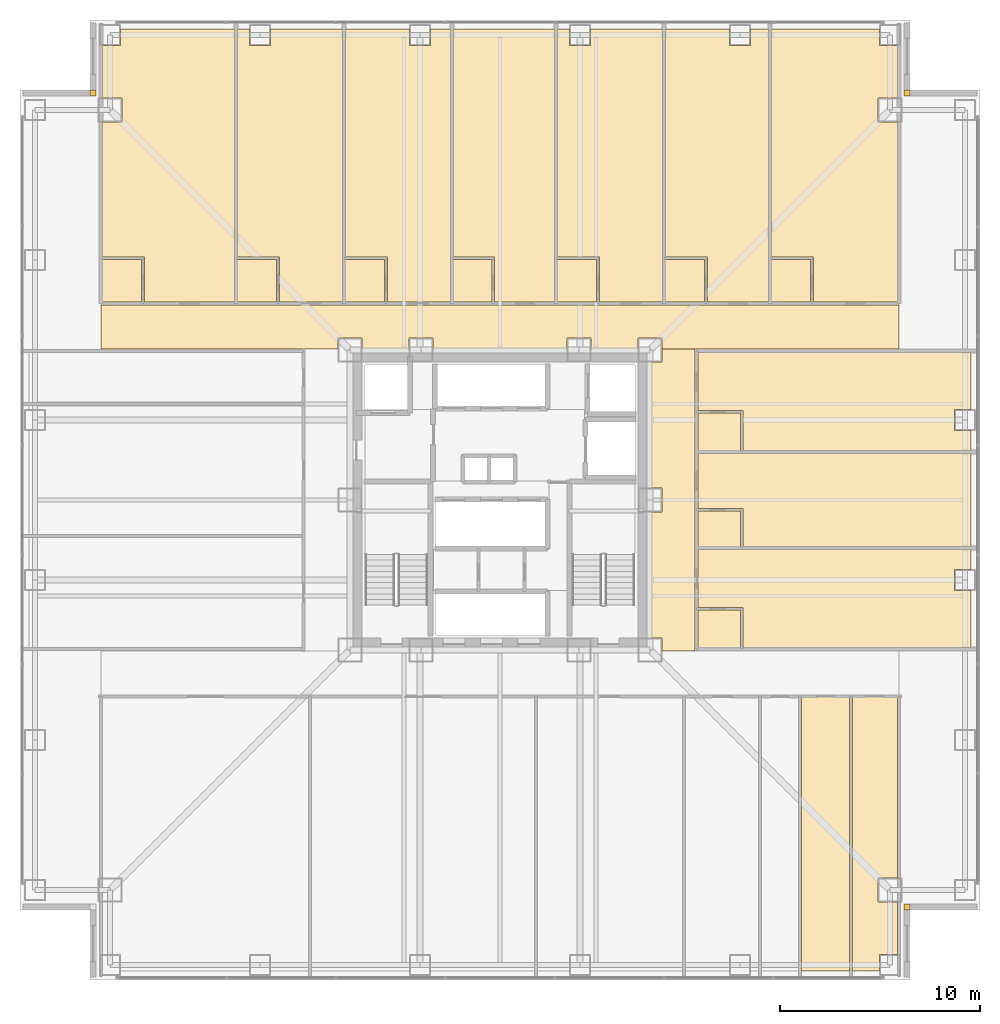
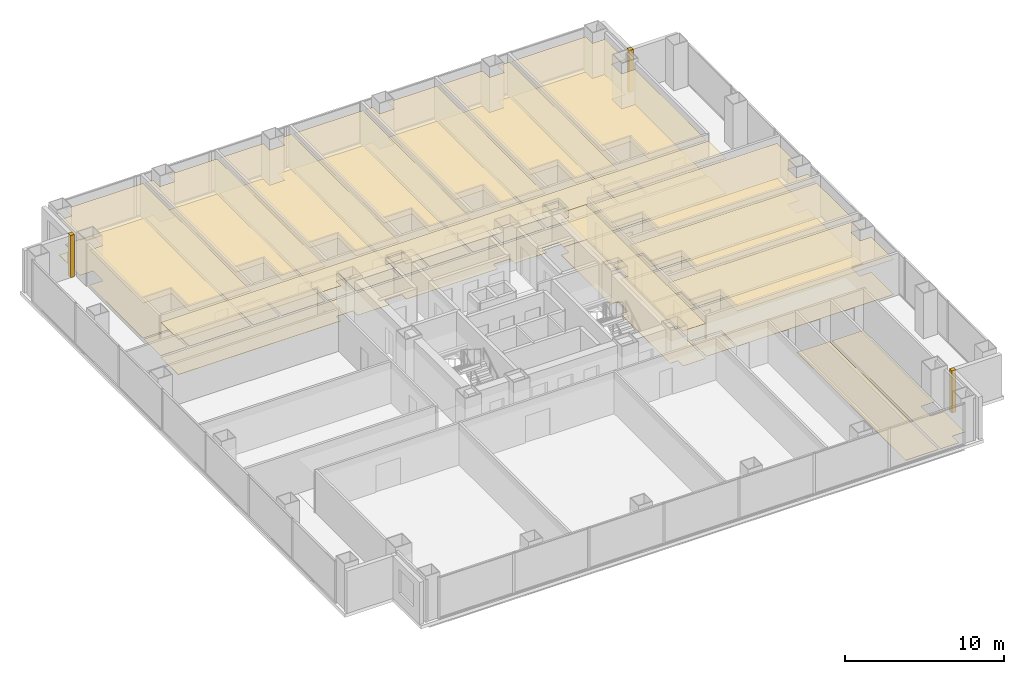
# One storey, part 16 of 16: 39 coverings.
"""IFC4 building model written with IfcOpenShell, lengths in metres."""

from ifc_helpers import new_model, si_unit, direction, frame, origin, place, context, subcontext, project, spatial, polyline, outline, extrude, material, layer, layer_set, type_object, element, save


model = new_model("IFC4")

# Units and contexts
model_context = context("Model", 3, precision=1e-05, world=origin(), true_north=direction((0.0, 1.0)))
body_context = subcontext(model_context, "Body", "Model", "MODEL_VIEW")
ifc_project = project(units=[si_unit("LENGTHUNIT", "METRE"), si_unit("AREAUNIT", "SQUARE_METRE"), si_unit("VOLUMEUNIT", "CUBIC_METRE"), si_unit("PLANEANGLEUNIT", "RADIAN"), si_unit("MASSUNIT", "GRAM", prefix="KILO")], contexts=[model_context])

# Site, building, storey
site_placement = place(None, origin())
site = spatial("IfcSite", under=ifc_project, at=site_placement, CompositionType="ELEMENT")
building_placement = place(site_placement, origin())
building = spatial("IfcBuilding", under=site, at=building_placement, Name="Trevonay Congress Spire", CompositionType="ELEMENT")
storey_placement = place(building_placement, frame((0.0, 0.0, 72.5)))
storey = spatial("IfcBuildingStorey", under=building, at=storey_placement, Name="L18", CompositionType="ELEMENT", Elevation=72.5)

# Coverings
ifc_material_1 = material(Name="Acoustic Mineral Fibre Board", Category="gypsum")
ifc_layer_1 = layer(ifc_material_1, 0.02490234375, Name="Acoustic Mineral Fibre Board")
ifc_layer_set_1 = layer_set([ifc_layer_1], Name="Acoustic Mineral Fibre Board")
covering_type_1 = type_object("IfcCoveringType", Name="COV-CEIL-ACOUSTIC", PredefinedType="CEILING", material=ifc_layer_set_1)
covering_1_placement = place(storey_placement, frame((0.0, 0.0, 2.699951171875)))
element("IfcCovering", 1, at=covering_1_placement, inside=storey, type_object=covering_type_1, Name="L18 Hotel Floor Corridor North acoustic suspended ceiling", PredefinedType="CEILING", context=body_context, shape_type="SweptSolid", body=[
    extrude(outline(polyline([(-19.949951171875, 7.550048828125), (-19.949951171875, 9.75), (19.949951171875, 9.75), (19.949951171875, 7.550048828125), (8.110107421875, 7.550048828125), (8.110107421875, 8.110107421875), (6.889892578125, 8.110107421875), (6.889892578125, 7.550048828125), (4.56005859375, 7.550048828125), (4.56005859375, 8.110107421875), (3.340087890625, 8.110107421875), (3.340087890625, 7.550048828125), (-3.340087890625, 7.550048828125), (-3.340087890625, 8.110107421875), (-4.56005859375, 8.110107421875), (-4.56005859375, 7.550048828125), (-6.889892578125, 7.550048828125), (-6.889892578125, 8.110107421875), (-8.110107421875, 8.110107421875), (-8.110107421875, 7.550048828125), (-19.949951171875, 7.550048828125)])), origin(), (0.0, 0.0, 1.0), 0.025146484375),
])
covering_2_placement = place(storey_placement, frame((0.0, 0.0, 2.699951171875)))
element("IfcCovering", 2, at=covering_2_placement, inside=storey, type_object=covering_type_1, Name="L18 Hotel Floor Corridor East acoustic suspended ceiling", PredefinedType="CEILING", context=body_context, shape_type="SweptSolid", body=[
    extrude(outline(polyline([(9.75, -7.550048828125), (8.110107421875, -7.550048828125), (8.110107421875, -6.889892578125), (7.550048828125, -6.889892578125), (7.550048828125, -0.610107421875), (8.110107421875, -0.610107421875), (8.110107421875, 0.610107421875), (7.550048828125, 0.610107421875), (7.550048828125, 6.889892578125), (8.110107421875, 6.889892578125), (8.110107421875, 7.550048828125), (9.75, 7.550048828125), (9.75, -7.550048828125)])), origin(), (0.0, 0.0, 1.0), 0.025146484375),
])
covering_3_placement = place(storey_placement, frame((0.0, 0.0, 2.699951171875)))
element("IfcCovering", 3, at=covering_3_placement, inside=storey, type_object=covering_type_1, Name="L18 Corner Hotel Suite acoustic suspended ceiling", PredefinedType="CEILING", context=body_context, shape_type="SweptSolid", body=[
    extrude(outline(polyline([(-13.280029296875, 23.550048828125), (-13.280029296875, 9.909912109375), (-17.780029296875, 9.909912109375), (-17.780029296875, 12.139892578125), (-19.8701171875, 12.139892578125), (-19.8701171875, 18.889892578125), (-18.889892578125, 18.889892578125), (-18.889892578125, 20.110107421875), (-19.8701171875, 20.110107421875), (-19.8701171875, 22.715087890625), (-18.965087890625, 22.715087890625), (-18.965087890625, 23.550048828125), (-13.280029296875, 23.550048828125)])), origin(), (0.0, 0.0, 1.0), 0.025146484375),
])
covering_4_placement = place(storey_placement, frame((0.0, 0.0, 2.699951171875)))
element("IfcCovering", 4, at=covering_4_placement, inside=storey, type_object=covering_type_1, Name="L18 Hotel Guest Room acoustic suspended ceiling", PredefinedType="CEILING", context=body_context, shape_type="SweptSolid", body=[
    extrude(outline(polyline([(-7.8798828125, 23.550048828125), (-7.8798828125, 9.909912109375), (-11.030029296875, 9.909912109375), (-11.030029296875, 12.139892578125), (-13.1201171875, 12.139892578125), (-13.1201171875, 23.550048828125), (-12.534912109375, 23.550048828125), (-12.534912109375, 22.715087890625), (-11.465087890625, 22.715087890625), (-11.465087890625, 23.550048828125), (-7.8798828125, 23.550048828125)])), origin(), (0.0, 0.0, 1.0), 0.025146484375),
])
covering_5_placement = place(storey_placement, frame((0.0, 0.0, 2.699951171875)))
element("IfcCovering", 5, at=covering_5_placement, inside=storey, type_object=covering_type_1, Name="L18 Hotel Guest Room acoustic suspended ceiling", PredefinedType="CEILING", context=body_context, shape_type="SweptSolid", body=[
    extrude(outline(polyline([(-2.47998046875, 23.550048828125), (-2.47998046875, 9.909912109375), (-5.6298828125, 9.909912109375), (-5.6298828125, 12.139892578125), (-7.719970703125, 12.139892578125), (-7.719970703125, 23.550048828125), (-4.534912109375, 23.550048828125), (-4.534912109375, 22.715087890625), (-3.465087890625, 22.715087890625), (-3.465087890625, 23.550048828125), (-2.47998046875, 23.550048828125)])), origin(), (0.0, 0.0, 1.0), 0.025146484375),
])
covering_6_placement = place(storey_placement, frame((0.0, 0.0, 2.699951171875)))
element("IfcCovering", 6, at=covering_6_placement, inside=storey, type_object=covering_type_1, Name="L18 Hotel Guest Room acoustic suspended ceiling", PredefinedType="CEILING", context=body_context, shape_type="SweptSolid", body=[
    extrude(outline(polyline([(-0.264892578125, 9.909912109375), (2.719970703125, 9.909912109375), (2.719970703125, 23.550048828125), (-2.320068359375, 23.550048828125), (-2.320068359375, 12.139892578125), (-0.264892578125, 12.139892578125), (-0.264892578125, 9.909912109375)])), origin(), (0.0, 0.0, 1.0), 0.025146484375),
])
covering_7_placement = place(storey_placement, frame((0.0, 0.0, 2.699951171875)))
element("IfcCovering", 7, at=covering_7_placement, inside=storey, type_object=covering_type_1, Name="L18 Hotel Guest Room acoustic suspended ceiling", PredefinedType="CEILING", context=body_context, shape_type="SweptSolid", body=[
    extrude(outline(polyline([(8.1201171875, 23.550048828125), (8.1201171875, 9.909912109375), (4.969970703125, 9.909912109375), (4.969970703125, 12.139892578125), (2.8798828125, 12.139892578125), (2.8798828125, 23.550048828125), (3.465087890625, 23.550048828125), (3.465087890625, 22.715087890625), (4.534912109375, 22.715087890625), (4.534912109375, 23.550048828125), (8.1201171875, 23.550048828125)])), origin(), (0.0, 0.0, 1.0), 0.025146484375),
])
covering_8_placement = place(storey_placement, frame((0.0, 0.0, 2.699951171875)))
element("IfcCovering", 8, at=covering_8_placement, inside=storey, type_object=covering_type_1, Name="L18 Hotel Guest Room acoustic suspended ceiling", PredefinedType="CEILING", context=body_context, shape_type="SweptSolid", body=[
    extrude(outline(polyline([(13.419921875, 23.550048828125), (13.419921875, 9.909912109375), (10.3701171875, 9.909912109375), (10.3701171875, 12.139892578125), (8.280029296875, 12.139892578125), (8.280029296875, 23.550048828125), (11.465087890625, 23.550048828125), (11.465087890625, 22.715087890625), (12.534912109375, 22.715087890625), (12.534912109375, 23.550048828125), (13.419921875, 23.550048828125)])), origin(), (0.0, 0.0, 1.0), 0.025146484375),
])
covering_9_placement = place(storey_placement, frame((0.0, 0.0, 2.699951171875)))
element("IfcCovering", 9, at=covering_9_placement, inside=storey, type_object=covering_type_1, Name="L18 Corner Hotel Suite acoustic suspended ceiling", PredefinedType="CEILING", context=body_context, shape_type="SweptSolid", body=[
    extrude(outline(polyline([(19.8701171875, 9.909912109375), (15.669921875, 9.909912109375), (15.669921875, 12.139892578125), (13.580078125, 12.139892578125), (13.580078125, 23.550048828125), (18.965087890625, 23.550048828125), (18.965087890625, 22.715087890625), (19.8701171875, 22.715087890625), (19.8701171875, 20.110107421875), (18.889892578125, 20.110107421875), (18.889892578125, 18.889892578125), (19.8701171875, 18.889892578125), (19.8701171875, 9.909912109375)])), origin(), (0.0, 0.0, 1.0), 0.025146484375),
])
covering_10_placement = place(storey_placement, frame((0.0, 0.0, 2.699951171875)))
element("IfcCovering", 10, at=covering_10_placement, inside=storey, type_object=covering_type_1, Name="L18 Hotel Guest Room acoustic suspended ceiling", PredefinedType="CEILING", context=body_context, shape_type="SweptSolid", body=[
    extrude(outline(polyline([(9.909912109375, -2.47998046875), (23.550048828125, -2.47998046875), (23.550048828125, -3.465087890625), (22.715087890625, -3.465087890625), (22.715087890625, -4.534912109375), (23.550048828125, -4.534912109375), (23.550048828125, -7.3701171875), (12.139892578125, -7.3701171875), (12.139892578125, -5.3720703125), (9.909912109375, -5.3720703125), (9.909912109375, -2.47998046875)])), origin(), (0.0, 0.0, 1.0), 0.025146484375),
])
covering_11_placement = place(storey_placement, frame((0.0, 0.0, 2.699951171875)))
element("IfcCovering", 11, at=covering_11_placement, inside=storey, type_object=covering_type_1, Name="L18 Corner Hotel Suite acoustic suspended ceiling", PredefinedType="CEILING", context=body_context, shape_type="SweptSolid", body=[
    extrude(outline(polyline([(9.909912109375, -0.4169921875), (9.909912109375, 2.320068359375), (23.550048828125, 2.320068359375), (23.550048828125, -2.320068359375), (12.139892578125, -2.320068359375), (12.139892578125, -0.4169921875), (9.909912109375, -0.4169921875)])), origin(), (0.0, 0.0, 1.0), 0.025146484375),
])
covering_12_placement = place(storey_placement, frame((0.0, 0.0, 2.699951171875)))
element("IfcCovering", 12, at=covering_12_placement, inside=storey, type_object=covering_type_1, Name="L18 Hotel Guest Room acoustic suspended ceiling", PredefinedType="CEILING", context=body_context, shape_type="SweptSolid", body=[
    extrude(outline(polyline([(9.909912109375, 7.3701171875), (23.550048828125, 7.3701171875), (23.550048828125, 4.534912109375), (22.715087890625, 4.534912109375), (22.715087890625, 3.465087890625), (23.550048828125, 3.465087890625), (23.550048828125, 2.47998046875), (12.139892578125, 2.47998046875), (12.139892578125, 4.47802734375), (9.909912109375, 4.47802734375), (9.909912109375, 7.3701171875)])), origin(), (0.0, 0.0, 1.0), 0.025146484375),
])
ifc_material_2 = material(Name="Polished Granite Floor Tile", Category="masonry")
ifc_layer_2 = layer(ifc_material_2, 0.02001953125, Name="Polished Granite Floor Tile")
ifc_layer_set_2 = layer_set([ifc_layer_2], Name="Polished Granite Floor Tile")
covering_type_2 = type_object("IfcCoveringType", Name="COV-FLOOR-STONE", PredefinedType="FLOORING", material=ifc_layer_set_2)
covering_13_placement = place(storey_placement, origin())
element("IfcCovering", 13, at=covering_13_placement, inside=storey, type_object=covering_type_2, Name="L18 Hotel Floor Corridor North floor finish", PredefinedType="FLOORING", context=body_context, shape_type="SweptSolid", body=[
    extrude(outline(polyline([(-19.949951171875, 7.550048828125), (-19.949951171875, 9.75), (19.949951171875, 9.75), (19.949951171875, 7.550048828125), (8.110107421875, 7.550048828125), (8.110107421875, 8.110107421875), (6.889892578125, 8.110107421875), (6.889892578125, 7.550048828125), (4.56005859375, 7.550048828125), (4.56005859375, 8.110107421875), (3.340087890625, 8.110107421875), (3.340087890625, 7.550048828125), (-3.340087890625, 7.550048828125), (-3.340087890625, 8.110107421875), (-4.56005859375, 8.110107421875), (-4.56005859375, 7.550048828125), (-6.889892578125, 7.550048828125), (-6.889892578125, 8.110107421875), (-8.110107421875, 8.110107421875), (-8.110107421875, 7.550048828125), (-19.949951171875, 7.550048828125)])), origin(), (0.0, 0.0, 1.0), 0.02001953125),
])
covering_14_placement = place(storey_placement, origin())
element("IfcCovering", 14, at=covering_14_placement, inside=storey, type_object=covering_type_2, Name="L18 Hotel Floor Corridor East floor finish", PredefinedType="FLOORING", context=body_context, shape_type="SweptSolid", body=[
    extrude(outline(polyline([(9.75, -7.550048828125), (8.110107421875, -7.550048828125), (8.110107421875, -6.889892578125), (7.550048828125, -6.889892578125), (7.550048828125, -0.610107421875), (8.110107421875, -0.610107421875), (8.110107421875, 0.610107421875), (7.550048828125, 0.610107421875), (7.550048828125, 6.889892578125), (8.110107421875, 6.889892578125), (8.110107421875, 7.550048828125), (9.75, 7.550048828125), (9.75, -7.550048828125)])), origin(), (0.0, 0.0, 1.0), 0.02001953125),
])
covering_15_placement = place(storey_placement, origin())
element("IfcCovering", 15, at=covering_15_placement, inside=storey, type_object=covering_type_2, Name="L18 Female Restroom WC floor finish", PredefinedType="FLOORING", context=body_context, shape_type="SweptSolid", body=[
    extrude(outline(polyline([(15.080078125, -23.550048828125), (17.469970703125, -23.550048828125), (17.469970703125, -9.830078125), (15.080078125, -9.830078125), (15.080078125, -23.550048828125)])), origin(), (0.0, 0.0, 1.0), 0.02001953125),
])
covering_16_placement = place(storey_placement, origin())
element("IfcCovering", 16, at=covering_16_placement, inside=storey, type_object=covering_type_2, Name="L18 Floor Supplies and Copy Room floor finish", PredefinedType="FLOORING", context=body_context, shape_type="SweptSolid", body=[
    extrude(outline(polyline([(17.6298828125, -23.550048828125), (17.6298828125, -9.830078125), (19.8701171875, -9.830078125), (19.8701171875, -18.889892578125), (18.889892578125, -18.889892578125), (18.889892578125, -20.110107421875), (19.8701171875, -20.110107421875), (19.8701171875, -22.715087890625), (18.965087890625, -22.715087890625), (18.965087890625, -23.550048828125), (17.6298828125, -23.550048828125)])), origin(), (0.0, 0.0, 1.0), 0.02001953125),
])
covering_17_placement = place(storey_placement, origin())
element("IfcCovering", 17, at=covering_17_placement, inside=storey, type_object=covering_type_2, Name="L18 En-suite Bathroom floor finish", PredefinedType="FLOORING", context=body_context, shape_type="SweptSolid", body=[
    extrude(outline(polyline([(-19.8701171875, 9.909912109375), (-17.919921875, 9.909912109375), (-17.919921875, 12.02001953125), (-19.8701171875, 12.02001953125), (-19.8701171875, 9.909912109375)])), origin(), (0.0, 0.0, 1.0), 0.02001953125),
])
covering_18_placement = place(storey_placement, origin())
element("IfcCovering", 18, at=covering_18_placement, inside=storey, type_object=covering_type_2, Name="L18 En-suite Bathroom floor finish", PredefinedType="FLOORING", context=body_context, shape_type="SweptSolid", body=[
    extrude(outline(polyline([(-13.1201171875, 9.909912109375), (-11.169921875, 9.909912109375), (-11.169921875, 12.02001953125), (-13.1201171875, 12.02001953125), (-13.1201171875, 9.909912109375)])), origin(), (0.0, 0.0, 1.0), 0.02001953125),
])
covering_19_placement = place(storey_placement, origin())
element("IfcCovering", 19, at=covering_19_placement, inside=storey, type_object=covering_type_2, Name="L18 En-suite Bathroom floor finish", PredefinedType="FLOORING", context=body_context, shape_type="SweptSolid", body=[
    extrude(outline(polyline([(-7.719970703125, 9.909912109375), (-5.77001953125, 9.909912109375), (-5.77001953125, 12.02001953125), (-7.719970703125, 12.02001953125), (-7.719970703125, 9.909912109375)])), origin(), (0.0, 0.0, 1.0), 0.02001953125),
])
covering_20_placement = place(storey_placement, origin())
element("IfcCovering", 20, at=covering_20_placement, inside=storey, type_object=covering_type_2, Name="L18 En-suite Bathroom floor finish", PredefinedType="FLOORING", context=body_context, shape_type="SweptSolid", body=[
    extrude(outline(polyline([(-2.320068359375, 9.909912109375), (-0.405029296875, 9.909912109375), (-0.405029296875, 12.02001953125), (-2.320068359375, 12.02001953125), (-2.320068359375, 9.909912109375)])), origin(), (0.0, 0.0, 1.0), 0.02001953125),
])
covering_21_placement = place(storey_placement, origin())
element("IfcCovering", 21, at=covering_21_placement, inside=storey, type_object=covering_type_2, Name="L18 En-suite Bathroom floor finish", PredefinedType="FLOORING", context=body_context, shape_type="SweptSolid", body=[
    extrude(outline(polyline([(2.8798828125, 9.909912109375), (4.830078125, 9.909912109375), (4.830078125, 12.02001953125), (2.8798828125, 12.02001953125), (2.8798828125, 9.909912109375)])), origin(), (0.0, 0.0, 1.0), 0.02001953125),
])
covering_22_placement = place(storey_placement, origin())
element("IfcCovering", 22, at=covering_22_placement, inside=storey, type_object=covering_type_2, Name="L18 En-suite Bathroom floor finish", PredefinedType="FLOORING", context=body_context, shape_type="SweptSolid", body=[
    extrude(outline(polyline([(8.280029296875, 9.909912109375), (10.22998046875, 9.909912109375), (10.22998046875, 12.02001953125), (8.280029296875, 12.02001953125), (8.280029296875, 9.909912109375)])), origin(), (0.0, 0.0, 1.0), 0.02001953125),
])
covering_23_placement = place(storey_placement, origin())
element("IfcCovering", 23, at=covering_23_placement, inside=storey, type_object=covering_type_2, Name="L18 En-suite Bathroom floor finish", PredefinedType="FLOORING", context=body_context, shape_type="SweptSolid", body=[
    extrude(outline(polyline([(13.580078125, 9.909912109375), (15.530029296875, 9.909912109375), (15.530029296875, 12.02001953125), (13.580078125, 12.02001953125), (13.580078125, 9.909912109375)])), origin(), (0.0, 0.0, 1.0), 0.02001953125),
])
covering_24_placement = place(storey_placement, origin())
element("IfcCovering", 24, at=covering_24_placement, inside=storey, type_object=covering_type_2, Name="L18 En-suite Bathroom floor finish", PredefinedType="FLOORING", context=body_context, shape_type="SweptSolid", body=[
    extrude(outline(polyline([(9.909912109375, -7.3701171875), (12.02001953125, -7.3701171875), (12.02001953125, -5.511962890625), (9.909912109375, -5.511962890625), (9.909912109375, -7.3701171875)])), origin(), (0.0, 0.0, 1.0), 0.02001953125),
])
covering_25_placement = place(storey_placement, origin())
element("IfcCovering", 25, at=covering_25_placement, inside=storey, type_object=covering_type_2, Name="L18 En-suite Bathroom floor finish", PredefinedType="FLOORING", context=body_context, shape_type="SweptSolid", body=[
    extrude(outline(polyline([(9.909912109375, -2.320068359375), (12.02001953125, -2.320068359375), (12.02001953125, -0.556884765625), (9.909912109375, -0.556884765625), (9.909912109375, -2.320068359375)])), origin(), (0.0, 0.0, 1.0), 0.02001953125),
])
covering_26_placement = place(storey_placement, origin())
element("IfcCovering", 26, at=covering_26_placement, inside=storey, type_object=covering_type_2, Name="L18 En-suite Bathroom floor finish", PredefinedType="FLOORING", context=body_context, shape_type="SweptSolid", body=[
    extrude(outline(polyline([(9.909912109375, 2.47998046875), (12.02001953125, 2.47998046875), (12.02001953125, 4.337890625), (9.909912109375, 4.337890625), (9.909912109375, 2.47998046875)])), origin(), (0.0, 0.0, 1.0), 0.02001953125),
])
ifc_material_3 = material(Name="Engineered Oak Flooring", Category="wood")
ifc_layer_3 = layer(ifc_material_3, 0.01806640625, Name="Engineered Oak Flooring")
ifc_layer_set_3 = layer_set([ifc_layer_3], Name="Engineered Oak Flooring")
covering_type_3 = type_object("IfcCoveringType", Name="COV-FLOOR-TIMBER", PredefinedType="FLOORING", material=ifc_layer_set_3)
covering_27_placement = place(storey_placement, origin())
element("IfcCovering", 27, at=covering_27_placement, inside=storey, type_object=covering_type_3, Name="L18 Corner Hotel Suite floor finish", PredefinedType="FLOORING", context=body_context, shape_type="SweptSolid", body=[
    extrude(outline(polyline([(-13.280029296875, 23.550048828125), (-13.280029296875, 9.909912109375), (-17.780029296875, 9.909912109375), (-17.780029296875, 12.139892578125), (-19.8701171875, 12.139892578125), (-19.8701171875, 18.889892578125), (-18.889892578125, 18.889892578125), (-18.889892578125, 20.110107421875), (-19.8701171875, 20.110107421875), (-19.8701171875, 22.715087890625), (-18.965087890625, 22.715087890625), (-18.965087890625, 23.550048828125), (-13.280029296875, 23.550048828125)])), origin(), (0.0, 0.0, 1.0), 0.01806640625),
])
covering_28_placement = place(storey_placement, origin())
element("IfcCovering", 28, at=covering_28_placement, inside=storey, type_object=covering_type_3, Name="L18 Hotel Guest Room floor finish", PredefinedType="FLOORING", context=body_context, shape_type="SweptSolid", body=[
    extrude(outline(polyline([(-7.8798828125, 23.550048828125), (-7.8798828125, 9.909912109375), (-11.030029296875, 9.909912109375), (-11.030029296875, 12.139892578125), (-13.1201171875, 12.139892578125), (-13.1201171875, 23.550048828125), (-12.534912109375, 23.550048828125), (-12.534912109375, 22.715087890625), (-11.465087890625, 22.715087890625), (-11.465087890625, 23.550048828125), (-7.8798828125, 23.550048828125)])), origin(), (0.0, 0.0, 1.0), 0.01806640625),
])
covering_29_placement = place(storey_placement, origin())
element("IfcCovering", 29, at=covering_29_placement, inside=storey, type_object=covering_type_3, Name="L18 Hotel Guest Room floor finish", PredefinedType="FLOORING", context=body_context, shape_type="SweptSolid", body=[
    extrude(outline(polyline([(-2.47998046875, 23.550048828125), (-2.47998046875, 9.909912109375), (-5.6298828125, 9.909912109375), (-5.6298828125, 12.139892578125), (-7.719970703125, 12.139892578125), (-7.719970703125, 23.550048828125), (-4.534912109375, 23.550048828125), (-4.534912109375, 22.715087890625), (-3.465087890625, 22.715087890625), (-3.465087890625, 23.550048828125), (-2.47998046875, 23.550048828125)])), origin(), (0.0, 0.0, 1.0), 0.01806640625),
])
covering_30_placement = place(storey_placement, origin())
element("IfcCovering", 30, at=covering_30_placement, inside=storey, type_object=covering_type_3, Name="L18 Hotel Guest Room floor finish", PredefinedType="FLOORING", context=body_context, shape_type="SweptSolid", body=[
    extrude(outline(polyline([(-0.264892578125, 9.909912109375), (2.719970703125, 9.909912109375), (2.719970703125, 23.550048828125), (-2.320068359375, 23.550048828125), (-2.320068359375, 12.139892578125), (-0.264892578125, 12.139892578125), (-0.264892578125, 9.909912109375)])), origin(), (0.0, 0.0, 1.0), 0.01806640625),
])
covering_31_placement = place(storey_placement, origin())
element("IfcCovering", 31, at=covering_31_placement, inside=storey, type_object=covering_type_3, Name="L18 Hotel Guest Room floor finish", PredefinedType="FLOORING", context=body_context, shape_type="SweptSolid", body=[
    extrude(outline(polyline([(8.1201171875, 23.550048828125), (8.1201171875, 9.909912109375), (4.969970703125, 9.909912109375), (4.969970703125, 12.139892578125), (2.8798828125, 12.139892578125), (2.8798828125, 23.550048828125), (3.465087890625, 23.550048828125), (3.465087890625, 22.715087890625), (4.534912109375, 22.715087890625), (4.534912109375, 23.550048828125), (8.1201171875, 23.550048828125)])), origin(), (0.0, 0.0, 1.0), 0.01806640625),
])
covering_32_placement = place(storey_placement, origin())
element("IfcCovering", 32, at=covering_32_placement, inside=storey, type_object=covering_type_3, Name="L18 Hotel Guest Room floor finish", PredefinedType="FLOORING", context=body_context, shape_type="SweptSolid", body=[
    extrude(outline(polyline([(13.419921875, 23.550048828125), (13.419921875, 9.909912109375), (10.3701171875, 9.909912109375), (10.3701171875, 12.139892578125), (8.280029296875, 12.139892578125), (8.280029296875, 23.550048828125), (11.465087890625, 23.550048828125), (11.465087890625, 22.715087890625), (12.534912109375, 22.715087890625), (12.534912109375, 23.550048828125), (13.419921875, 23.550048828125)])), origin(), (0.0, 0.0, 1.0), 0.01806640625),
])
covering_33_placement = place(storey_placement, origin())
element("IfcCovering", 33, at=covering_33_placement, inside=storey, type_object=covering_type_3, Name="L18 Corner Hotel Suite floor finish", PredefinedType="FLOORING", context=body_context, shape_type="SweptSolid", body=[
    extrude(outline(polyline([(19.8701171875, 9.909912109375), (15.669921875, 9.909912109375), (15.669921875, 12.139892578125), (13.580078125, 12.139892578125), (13.580078125, 23.550048828125), (18.965087890625, 23.550048828125), (18.965087890625, 22.715087890625), (19.8701171875, 22.715087890625), (19.8701171875, 20.110107421875), (18.889892578125, 20.110107421875), (18.889892578125, 18.889892578125), (19.8701171875, 18.889892578125), (19.8701171875, 9.909912109375)])), origin(), (0.0, 0.0, 1.0), 0.01806640625),
])
covering_34_placement = place(storey_placement, origin())
element("IfcCovering", 34, at=covering_34_placement, inside=storey, type_object=covering_type_3, Name="L18 Hotel Guest Room floor finish", PredefinedType="FLOORING", context=body_context, shape_type="SweptSolid", body=[
    extrude(outline(polyline([(9.909912109375, -2.47998046875), (23.550048828125, -2.47998046875), (23.550048828125, -3.465087890625), (22.715087890625, -3.465087890625), (22.715087890625, -4.534912109375), (23.550048828125, -4.534912109375), (23.550048828125, -7.3701171875), (12.139892578125, -7.3701171875), (12.139892578125, -5.3720703125), (9.909912109375, -5.3720703125), (9.909912109375, -2.47998046875)])), origin(), (0.0, 0.0, 1.0), 0.01806640625),
])
covering_35_placement = place(storey_placement, origin())
element("IfcCovering", 35, at=covering_35_placement, inside=storey, type_object=covering_type_3, Name="L18 Corner Hotel Suite floor finish", PredefinedType="FLOORING", context=body_context, shape_type="SweptSolid", body=[
    extrude(outline(polyline([(9.909912109375, -0.4169921875), (9.909912109375, 2.320068359375), (23.550048828125, 2.320068359375), (23.550048828125, -2.320068359375), (12.139892578125, -2.320068359375), (12.139892578125, -0.4169921875), (9.909912109375, -0.4169921875)])), origin(), (0.0, 0.0, 1.0), 0.01806640625),
])
covering_36_placement = place(storey_placement, origin())
element("IfcCovering", 36, at=covering_36_placement, inside=storey, type_object=covering_type_3, Name="L18 Hotel Guest Room floor finish", PredefinedType="FLOORING", context=body_context, shape_type="SweptSolid", body=[
    extrude(outline(polyline([(9.909912109375, 7.3701171875), (23.550048828125, 7.3701171875), (23.550048828125, 4.534912109375), (22.715087890625, 4.534912109375), (22.715087890625, 3.465087890625), (23.550048828125, 3.465087890625), (23.550048828125, 2.47998046875), (12.139892578125, 2.47998046875), (12.139892578125, 4.47802734375), (9.909912109375, 4.47802734375), (9.909912109375, 7.3701171875)])), origin(), (0.0, 0.0, 1.0), 0.01806640625),
])
ifc_material_4 = material(Name="Pale Anodised Aluminium EN AW-6063-T6", Category="aluminium")
ifc_layer_4 = layer(ifc_material_4, 0.0400390625, Name="Pale Anodised Aluminium EN AW-6063-T6")
ifc_layer_set_4 = layer_set([ifc_layer_4], Name="Pale Anodised Aluminium EN AW-6063-T6")
covering_type_4 = type_object("IfcCoveringType", Name="COV-SPANDREL-PALE-METAL", PredefinedType="CLADDING", material=ifc_layer_set_4)
covering_37_placement = place(storey_placement, origin())
element("IfcCovering", 37, at=covering_37_placement, inside=storey, type_object=covering_type_4, Name="L18 SE re-entrant notch corner closure trim", PredefinedType="CLADDING", context=body_context, shape_type="SweptSolid", body=[
    extrude(outline(polyline([(20.199951171875, -20.5), (20.5, -20.5), (20.5, -20.199951171875), (20.199951171875, -20.199951171875), (20.199951171875, -20.5)])), origin(), (0.0, 0.0, 1.0), 3.25),
])
covering_38_placement = place(storey_placement, origin())
element("IfcCovering", 38, at=covering_38_placement, inside=storey, type_object=covering_type_4, Name="L18 NE re-entrant notch corner closure trim", PredefinedType="CLADDING", context=body_context, shape_type="SweptSolid", body=[
    extrude(outline(polyline([(20.199951171875, 20.199951171875), (20.5, 20.199951171875), (20.5, 20.5), (20.199951171875, 20.5), (20.199951171875, 20.199951171875)])), origin(), (0.0, 0.0, 1.0), 3.25),
])
covering_39_placement = place(storey_placement, origin())
element("IfcCovering", 39, at=covering_39_placement, inside=storey, type_object=covering_type_4, Name="L18 NW re-entrant notch corner closure trim", PredefinedType="CLADDING", context=body_context, shape_type="SweptSolid", body=[
    extrude(outline(polyline([(-20.5, 20.199951171875), (-20.199951171875, 20.199951171875), (-20.199951171875, 20.5), (-20.5, 20.5), (-20.5, 20.199951171875)])), origin(), (0.0, 0.0, 1.0), 3.25),
])

save(model, "model.ifc")
